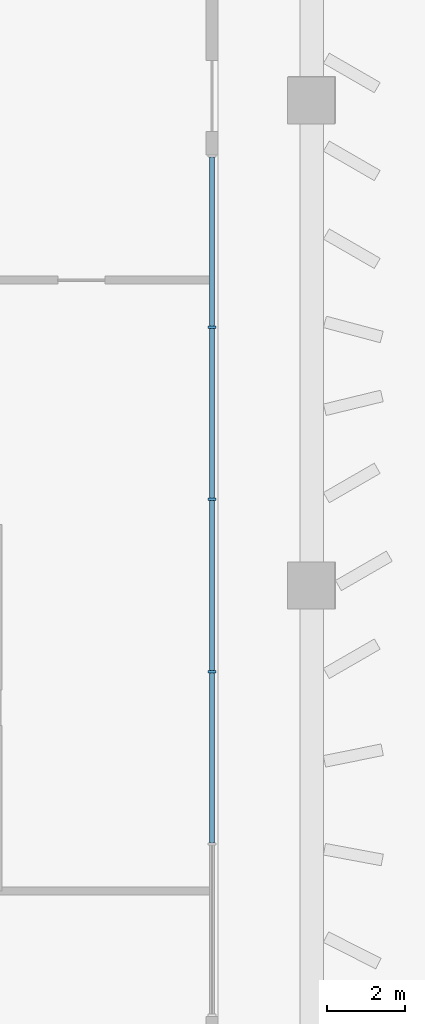
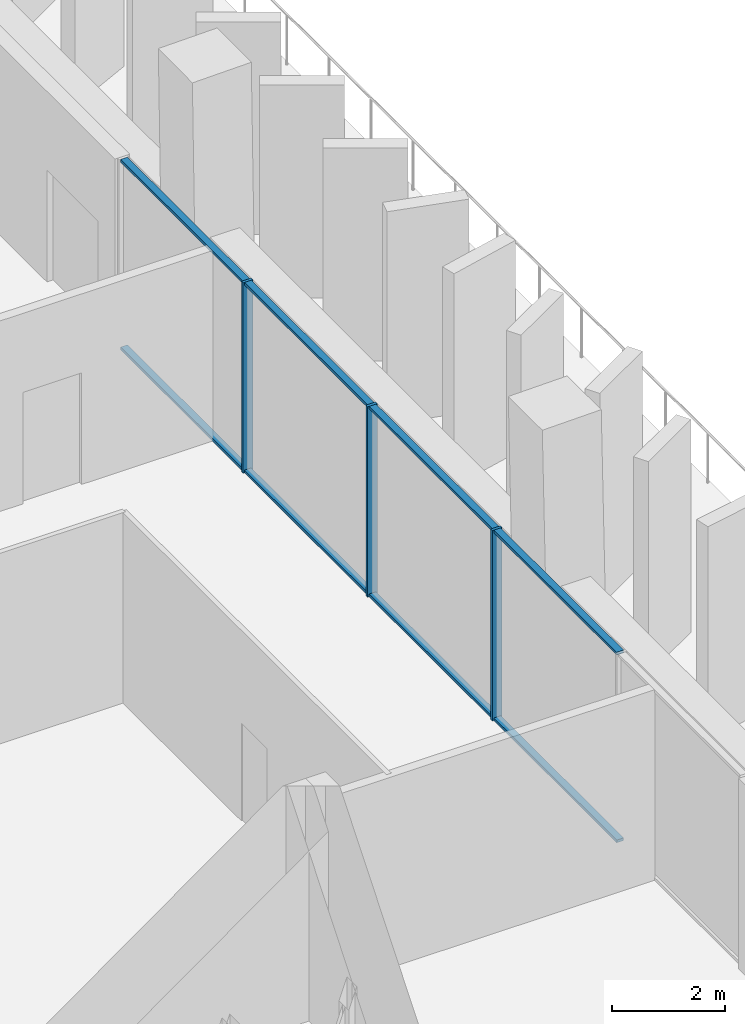
# One storey, part 6 of 31: 11 members, 1 element without a shape of its own.
"""IFC4 building model written with IfcOpenShell, lengths in metres."""

from ifc_helpers import new_model, si_unit, direction, frame, origin, origin_2d, place, context, subcontext, project, spatial, rectangle, extrude, material, layer, layer_set, material_profile, profile_set, type_object, element, aggregate, save


model = new_model("IFC4")

# Units and contexts
model_context = context("Model", 3, precision=1e-05, world=origin(), true_north=direction((0.0, 1.0)))
body_context = subcontext(model_context, "Body", "Model", "MODEL_VIEW")
ifc_project = project(units=[si_unit("LENGTHUNIT", "METRE"), si_unit("AREAUNIT", "SQUARE_METRE"), si_unit("VOLUMEUNIT", "CUBIC_METRE"), si_unit("PLANEANGLEUNIT", "RADIAN"), si_unit("MASSUNIT", "GRAM", prefix="KILO")], contexts=[model_context])

# Site, building, storey
site_placement = place(None, origin())
site = spatial("IfcSite", under=ifc_project, at=site_placement, CompositionType="ELEMENT")
building_placement = place(site_placement, origin())
building = spatial("IfcBuilding", under=site, at=building_placement, Name="Jabali Bay Hotel Tower and Convention Centre", CompositionType="ELEMENT")
storey_placement = place(building_placement, frame((0.0, 0.0, 25.39990234375)))
storey = spatial("IfcBuildingStorey", under=building, at=storey_placement, Name="L04", CompositionType="ELEMENT", Elevation=25.39990234375)

# Curtain wall, members
ifc_material_1 = material(Name="Aluminium and glass", Category="aluminium")
ifc_layer = layer(ifc_material_1, 0.199951171875)
ifc_layer_set = layer_set([ifc_layer], Name="Aluminium and glass")
curtain_wall_type = type_object("IfcCurtainWallType", Name="CW6 curtain wall", PredefinedType="NOTDEFINED", material=ifc_layer_set)
curtain_wall_placement = place(storey_placement, origin())
curtain_wall = element("IfcCurtainWall", 1, at=curtain_wall_placement, inside=storey, type_object=curtain_wall_type, Name="CW6 curtain wall east face L04", PredefinedType="NOTDEFINED")
ifc_material_2 = material(Name="Aluminium", Category="aluminium")
ifc_material_profile_1 = material_profile(ifc_material_2, rectangle(XDim=0.199951171875, YDim=0.06005859375, at=origin_2d()), Name="CW6 mullion 60 x 200")
ifc_profile_set_1 = profile_set([ifc_material_profile_1], Name="Aluminium")
member_type_1 = type_object("IfcMemberType", Name="CW6 mullion 60 x 200", PredefinedType="MULLION", material=ifc_profile_set_1)
member_1_placement = place(storey_placement, frame((96.5927734375, 86.59521484375, 0.0), z_axis=(0.0, 0.0, 1.0), x_axis=(1.0, 0.0, 0.0)))
member_1 = element("IfcMember", 2, at=member_1_placement, type_object=member_type_1, Name="CW6 mullion 2", PredefinedType="MULLION", context=body_context, shape_type="SweptSolid", body=[
    extrude(rectangle(XDim=0.199951171875, YDim=0.06005859375, at=origin_2d()), origin(), (0.0, 0.0, 1.0), 4.10009765625),
])
member_2_placement = place(storey_placement, frame((96.5927734375, 82.198486328125, 0.0), z_axis=(0.0, 0.0, 1.0), x_axis=(1.0, 0.0, 0.0)))
member_2 = element("IfcMember", 3, at=member_2_placement, type_object=member_type_1, Name="CW6 mullion 3", PredefinedType="MULLION", context=body_context, shape_type="SweptSolid", body=[
    extrude(rectangle(XDim=0.199951171875, YDim=0.06005859375, at=origin_2d()), origin(), (0.0, 0.0, 1.0), 4.10009765625),
])
member_3_placement = place(storey_placement, frame((96.5927734375, 77.801513671875, 0.0), z_axis=(0.0, 0.0, 1.0), x_axis=(1.0, 0.0, 0.0)))
member_3 = element("IfcMember", 4, at=member_3_placement, type_object=member_type_1, Name="CW6 mullion 4", PredefinedType="MULLION", context=body_context, shape_type="SweptSolid", body=[
    extrude(rectangle(XDim=0.199951171875, YDim=0.06005859375, at=origin_2d()), origin(), (0.0, 0.0, 1.0), 4.10009765625),
])
ifc_material_profile_2 = material_profile(ifc_material_2, rectangle(XDim=0.139892578125, YDim=0.06005859375, at=origin_2d()), Name="CW6 transom 60 x 140")
ifc_profile_set_2 = profile_set([ifc_material_profile_2], Name="Aluminium")
member_type_2 = type_object("IfcMemberType", Name="CW6 transom 60 x 140", PredefinedType="USERDEFINED", material=ifc_profile_set_2)
member_4_placement = place(storey_placement, frame((96.5927734375, 90.93212890625, 0.030029296875), z_axis=(0.0, -1.0, 0.0), x_axis=(1.0, 0.0, 0.0)))
member_4 = element("IfcMember", 5, at=member_4_placement, type_object=member_type_2, Name="CW6 transom 1.1", ObjectType="TRANSOM", PredefinedType="USERDEFINED", context=body_context, shape_type="SweptSolid", body=[
    extrude(rectangle(XDim=0.139892578125, YDim=0.06005859375, at=origin_2d()), origin(), (0.0, 0.0, 1.0), 4.306884765625),
])
member_5_placement = place(storey_placement, frame((96.5927734375, 90.93212890625, 4.070068359375), z_axis=(0.0, -1.0, 0.0), x_axis=(1.0, 0.0, 0.0)))
member_5 = element("IfcMember", 6, at=member_5_placement, type_object=member_type_2, Name="CW6 transom 1.2", ObjectType="TRANSOM", PredefinedType="USERDEFINED", context=body_context, shape_type="SweptSolid", body=[
    extrude(rectangle(XDim=0.139892578125, YDim=0.06005859375, at=origin_2d()), origin(), (0.0, 0.0, 1.0), 4.306884765625),
])
member_6_placement = place(storey_placement, frame((96.5927734375, 86.565185546875, 0.030029296875), z_axis=(0.0, -1.0, 0.0), x_axis=(1.0, 0.0, 0.0)))
member_6 = element("IfcMember", 7, at=member_6_placement, type_object=member_type_2, Name="CW6 transom 2.1", ObjectType="TRANSOM", PredefinedType="USERDEFINED", context=body_context, shape_type="SweptSolid", body=[
    extrude(rectangle(XDim=0.139892578125, YDim=0.06005859375, at=origin_2d()), origin(), (0.0, 0.0, 1.0), 4.336669921875),
])
member_7_placement = place(storey_placement, frame((96.5927734375, 86.565185546875, 4.070068359375), z_axis=(0.0, -1.0, 0.0), x_axis=(1.0, 0.0, 0.0)))
member_7 = element("IfcMember", 8, at=member_7_placement, type_object=member_type_2, Name="CW6 transom 2.2", ObjectType="TRANSOM", PredefinedType="USERDEFINED", context=body_context, shape_type="SweptSolid", body=[
    extrude(rectangle(XDim=0.139892578125, YDim=0.06005859375, at=origin_2d()), origin(), (0.0, 0.0, 1.0), 4.336669921875),
])
member_8_placement = place(storey_placement, frame((96.5927734375, 82.16845703125, 0.030029296875), z_axis=(0.0, -1.0, 0.0), x_axis=(1.0, 0.0, 0.0)))
member_8 = element("IfcMember", 9, at=member_8_placement, type_object=member_type_2, Name="CW6 transom 3.1", ObjectType="TRANSOM", PredefinedType="USERDEFINED", context=body_context, shape_type="SweptSolid", body=[
    extrude(rectangle(XDim=0.139892578125, YDim=0.06005859375, at=origin_2d()), origin(), (0.0, 0.0, 1.0), 4.3369140625),
])
member_9_placement = place(storey_placement, frame((96.5927734375, 82.16845703125, 4.070068359375), z_axis=(0.0, -1.0, 0.0), x_axis=(1.0, 0.0, 0.0)))
member_9 = element("IfcMember", 10, at=member_9_placement, type_object=member_type_2, Name="CW6 transom 3.2", ObjectType="TRANSOM", PredefinedType="USERDEFINED", context=body_context, shape_type="SweptSolid", body=[
    extrude(rectangle(XDim=0.139892578125, YDim=0.06005859375, at=origin_2d()), origin(), (0.0, 0.0, 1.0), 4.3369140625),
])
member_10_placement = place(storey_placement, frame((96.5927734375, 77.771484375, 0.030029296875), z_axis=(0.0, -1.0, 0.0), x_axis=(1.0, 0.0, 0.0)))
member_10 = element("IfcMember", 11, at=member_10_placement, type_object=member_type_2, Name="CW6 transom 4.1", ObjectType="TRANSOM", PredefinedType="USERDEFINED", context=body_context, shape_type="SweptSolid", body=[
    extrude(rectangle(XDim=0.139892578125, YDim=0.06005859375, at=origin_2d()), origin(), (0.0, 0.0, 1.0), 4.336669921875),
])
member_11_placement = place(storey_placement, frame((96.5927734375, 77.771484375, 4.070068359375), z_axis=(0.0, -1.0, 0.0), x_axis=(1.0, 0.0, 0.0)))
member_11 = element("IfcMember", 12, at=member_11_placement, type_object=member_type_2, Name="CW6 transom 4.2", ObjectType="TRANSOM", PredefinedType="USERDEFINED", context=body_context, shape_type="SweptSolid", body=[
    extrude(rectangle(XDim=0.139892578125, YDim=0.06005859375, at=origin_2d()), origin(), (0.0, 0.0, 1.0), 4.336669921875),
])
aggregate(curtain_wall, [member_1, member_2, member_3, member_4, member_5, member_6, member_7, member_8, member_9, member_10, member_11])

save(model, "model.ifc")
